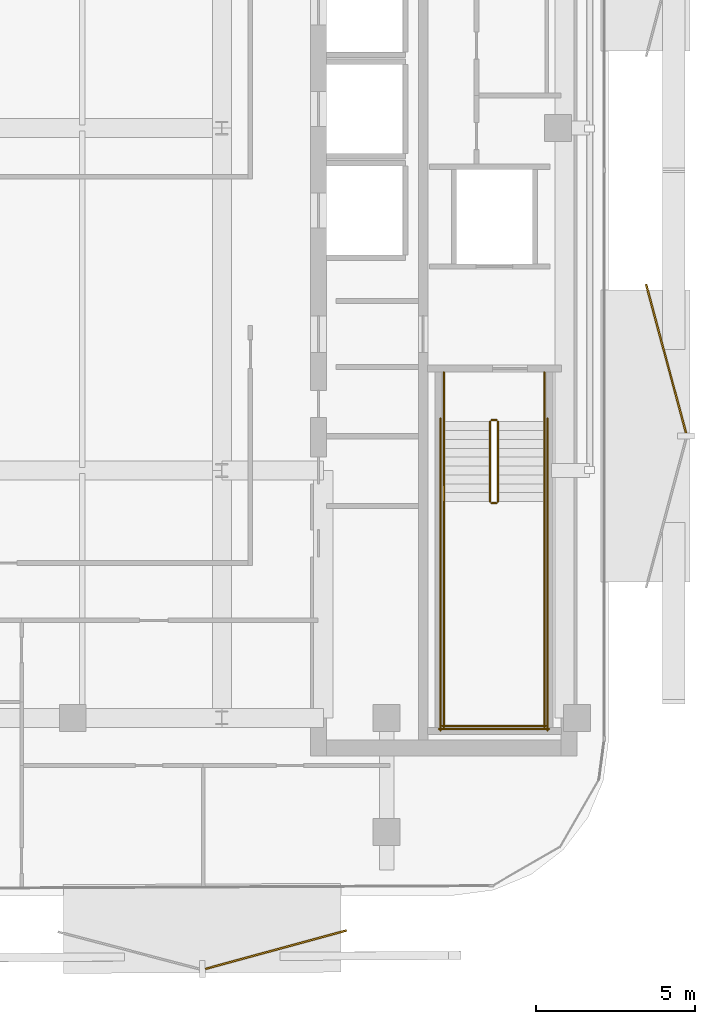
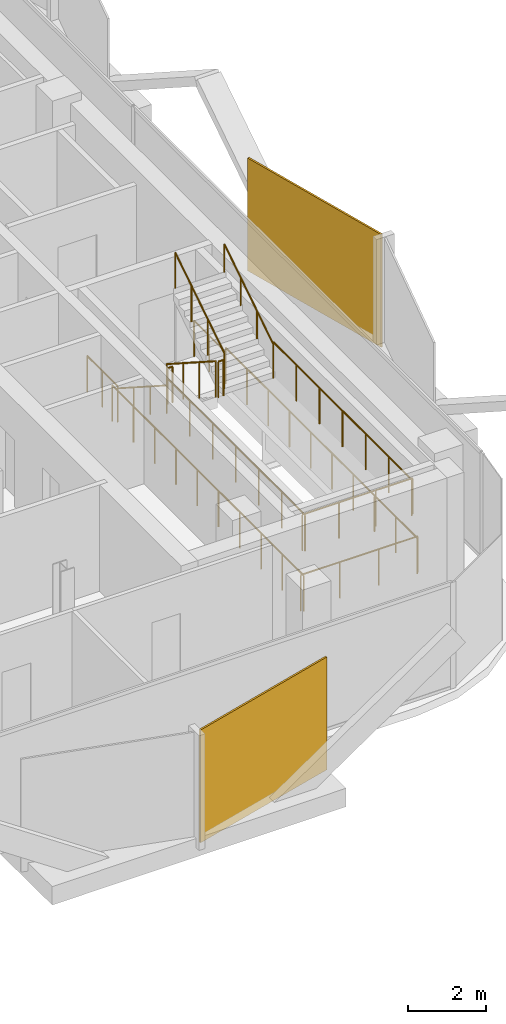
# One storey, part 14 of 15: 14 railings, 2 coverings.
"""IFC4 building model written with IfcOpenShell, lengths in metres."""

from ifc_helpers import new_model, si_unit, direction, frame, origin, origin_2d, place, context, subcontext, project, spatial, rectangle, circle, extrude, material, layer, layer_set, type_object, element, save


model = new_model("IFC4")

# Units and contexts
model_context = context("Model", 3, precision=1e-05, world=origin(), true_north=direction((0.0, 1.0)))
body_context = subcontext(model_context, "Body", "Model", "MODEL_VIEW")
ifc_project = project(units=[si_unit("LENGTHUNIT", "METRE"), si_unit("AREAUNIT", "SQUARE_METRE"), si_unit("VOLUMEUNIT", "CUBIC_METRE"), si_unit("PLANEANGLEUNIT", "RADIAN"), si_unit("MASSUNIT", "GRAM", prefix="KILO")], contexts=[model_context])

# Site, building, storey
site_placement = place(None, origin())
site = spatial("IfcSite", under=ifc_project, at=site_placement, CompositionType="ELEMENT")
building_placement = place(site_placement, origin())
building = spatial("IfcBuilding", under=site, at=building_placement, Name="Khairoan Windgate Tower", CompositionType="ELEMENT")
storey_placement = place(building_placement, frame((0.0, 0.0, 262.0)))
storey = spatial("IfcBuildingStorey", under=building, at=storey_placement, Name="L62", CompositionType="ELEMENT", Elevation=262.0)

# Coverings
ifc_material_1 = material(Name="Anodised Bronze Aluminium 6063-T6", Category="aluminium")
ifc_layer = layer(ifc_material_1, 0.054931640625, Name="Anodised Bronze Aluminium 6063-T6")
ifc_layer_set = layer_set([ifc_layer], Name="Anodised Bronze Aluminium 6063-T6")
covering_type = type_object("IfcCoveringType", Name="Perforated Bronze-Ceramic Folded Solar Screen Cladding BSC-1", PredefinedType="CLADDING", material=ifc_layer_set)
covering_1_placement = place(storey_placement, frame((10.90380859375, -25.912109375, -0.10009765625), z_axis=(0.0, 0.0, 1.0), x_axis=(-0.964695449838, -0.263367972734, 0.0)))
element("IfcCovering", 1, at=covering_1_placement, inside=storey, type_object=covering_type, Name="L62 Folded Bronze Solar Screen Facet 425L", PredefinedType="CLADDING", context=body_context, shape_type="SweptSolid", body=[
    extrude(rectangle(XDim=4.614013671875, YDim=0.054931640625, at=origin_2d()), origin(), (0.0, 0.0, 1.0), 3.5400390625),
])
covering_2_placement = place(storey_placement, frame((23.211181640625, -7.27587890625, -0.10009765625), z_axis=(0.0, 0.0, 1.0), x_axis=(0.258819045103, -0.965925826289, 0.0)))
element("IfcCovering", 2, at=covering_2_placement, inside=storey, type_object=covering_type, Name="L62 Folded Bronze Solar Screen Facet 432L", PredefinedType="CLADDING", context=body_context, shape_type="SweptSolid", body=[
    extrude(rectangle(XDim=4.85888671875, YDim=0.054931640625, at=origin_2d()), origin(), (0.0, 0.0, 1.0), 3.5400390625),
])

# Railings
ifc_material_2 = material(Name="Anodised Bronze Aluminium 6063-T6", Category="aluminium")
railing_type_1 = type_object("IfcRailingType", Name="Stair Wall Handrail SHR-900", PredefinedType="HANDRAIL", material=ifc_material_2)
railing_1_placement = place(storey_placement, frame((16.199951171875, -9.260009765625, 0.179931640625)))
element("IfcRailing", 3, at=railing_1_placement, inside=storey, type_object=railing_type_1, Name="L62 ST1 stair handrail 1", PredefinedType="HANDRAIL", context=body_context, shape_type="SweptSolid", body=[
    extrude(circle(Radius=0.02392578125, at=origin_2d()), frame((0.0, 0.0, 0.8759765625), z_axis=(0.0, -0.841162588446, 0.540782303519), x_axis=(1.0, 0.0, 0.0)), (0.0, 0.0, 1.0), 2.995849609375),
    extrude(circle(Radius=0.02099609375, at=origin_2d()), origin(), (0.0, 0.0, 1.0), 0.851806640625),
    extrude(circle(Radius=0.02099609375, at=origin_2d()), frame((0.0, -0.840087890625, 0.5400390625)), (0.0, 0.0, 1.0), 0.851806640625),
    extrude(circle(Radius=0.02099609375, at=origin_2d()), frame((0.0, -1.679931640625, 1.080078125)), (0.0, 0.0, 1.0), 0.851806640625),
    extrude(circle(Radius=0.02099609375, at=origin_2d()), frame((0.0, -2.52001953125, 1.6201171875)), (0.0, 0.0, 1.0), 0.851806640625),
])
railing_2_placement = place(storey_placement, frame((19.3701171875, -11.780029296875, 1.97998046875)))
element("IfcRailing", 4, at=railing_2_placement, inside=storey, type_object=railing_type_1, Name="L62 ST1 stair handrail 2", PredefinedType="HANDRAIL", context=body_context, shape_type="SweptSolid", body=[
    extrude(circle(Radius=0.02392578125, at=origin_2d()), frame((0.0, 0.0, 0.8759765625), z_axis=(0.0, 0.841162588446, 0.540782303519), x_axis=(-1.0, 0.0, 0.0)), (0.0, 0.0, 1.0), 2.995849609375),
    extrude(circle(Radius=0.02099609375, at=origin_2d()), origin(), (0.0, 0.0, 1.0), 0.851806640625),
    extrude(circle(Radius=0.02099609375, at=origin_2d()), frame((0.0, 0.840087890625, 0.5400390625)), (0.0, 0.0, 1.0), 0.851806640625),
    extrude(circle(Radius=0.02099609375, at=origin_2d()), frame((0.0, 1.679931640625, 1.080078125)), (0.0, 0.0, 1.0), 0.851806640625),
    extrude(circle(Radius=0.02099609375, at=origin_2d()), frame((0.0, 2.52001953125, 1.6201171875)), (0.0, 0.0, 1.0), 0.851806640625),
])
ifc_material_3 = material(Name="Steel S355", Category="steel")
railing_type_2 = type_object("IfcRailingType", Name="Stairwell Safety Guardrail SGR-1150", PredefinedType="GUARDRAIL", material=ifc_material_3)
railing_3_placement = place(storey_placement, frame((17.659912109375, -9.260009765625, 0.179931640625)))
element("IfcRailing", 5, at=railing_3_placement, inside=storey, type_object=railing_type_2, Name="L62 ST1 stair guard 1", PredefinedType="GUARDRAIL", context=body_context, shape_type="SweptSolid", body=[
    extrude(circle(Radius=0.02392578125, at=origin_2d()), frame((0.0, 0.0, 1.1259765625), z_axis=(0.0, -0.841162588446, 0.540782303519), x_axis=(1.0, 0.0, 0.0)), (0.0, 0.0, 1.0), 2.995849609375),
    extrude(circle(Radius=0.02099609375, at=origin_2d()), origin(), (0.0, 0.0, 1.0), 1.101806640625),
    extrude(circle(Radius=0.02099609375, at=origin_2d()), frame((0.0, -0.840087890625, 0.5400390625)), (0.0, 0.0, 1.0), 1.101806640625),
    extrude(circle(Radius=0.02099609375, at=origin_2d()), frame((0.0, -1.679931640625, 1.080078125)), (0.0, 0.0, 1.0), 1.101806640625),
    extrude(circle(Radius=0.02099609375, at=origin_2d()), frame((0.0, -2.52001953125, 1.6201171875)), (0.0, 0.0, 1.0), 1.101806640625),
])
railing_4_placement = place(storey_placement, frame((17.7099609375, -11.830078125, 1.800048828125)))
element("IfcRailing", 6, at=railing_4_placement, inside=storey, type_object=railing_type_2, Name="L62 ST1 stair guard 2", PredefinedType="GUARDRAIL", context=body_context, shape_type="SweptSolid", body=[
    extrude(circle(Radius=0.02392578125, at=origin_2d()), frame((0.0, 0.0, 1.1259765625), z_axis=(1.0, 0.0, 0.0), x_axis=(0.0, 1.0, 0.0)), (0.0, 0.0, 1.0), 0.150146484375),
    extrude(circle(Radius=0.02099609375, at=origin_2d()), origin(), (0.0, 0.0, 1.0), 1.101806640625),
    extrude(circle(Radius=0.02099609375, at=origin_2d()), frame((0.150146484375, 0.0, 0.0)), (0.0, 0.0, 1.0), 1.101806640625),
])
for number, where, name in (
    (7, (16.199951171875, -11.780029296875, 1.800048828125), "L62 ST1 stair guard 3"),
    (8, (19.3701171875, -11.780029296875, 1.800048828125), "L62 ST1 stair guard 4"),
):
    element("IfcRailing", number, at=place(storey_placement, frame(where)), inside=storey, type_object=railing_type_2, Name=name, PredefinedType="GUARDRAIL", context=body_context, shape_type="SweptSolid", body=[
        extrude(circle(Radius=0.02392578125, at=origin_2d()), frame((0.0, 0.0, 1.1259765625), z_axis=(0.0, -1.0, 0.0), x_axis=(1.0, 0.0, 0.0)), (0.0, 0.0, 1.0), 7.119873046875),
        extrude(circle(Radius=0.02099609375, at=origin_2d()), origin(), (0.0, 0.0, 1.0), 1.101806640625),
        extrude(circle(Radius=0.02099609375, at=origin_2d()), frame((0.0, -1.1865234375, 0.0)), (0.0, 0.0, 1.0), 1.101806640625),
        extrude(circle(Radius=0.02099609375, at=origin_2d()), frame((0.0, -2.373291015625, 0.0)), (0.0, 0.0, 1.0), 1.101806640625),
        extrude(circle(Radius=0.02099609375, at=origin_2d()), frame((0.0, -3.56005859375, 0.0)), (0.0, 0.0, 1.0), 1.101806640625),
        extrude(circle(Radius=0.02099609375, at=origin_2d()), frame((0.0, -4.74658203125, 0.0)), (0.0, 0.0, 1.0), 1.101806640625),
        extrude(circle(Radius=0.02099609375, at=origin_2d()), frame((0.0, -5.93310546875, 0.0)), (0.0, 0.0, 1.0), 1.101806640625),
        extrude(circle(Radius=0.02099609375, at=origin_2d()), frame((0.0, -7.119873046875, 0.0)), (0.0, 0.0, 1.0), 1.101806640625),
    ])
railing_5_placement = place(storey_placement, frame((16.14990234375, -18.85009765625, 1.800048828125)))
element("IfcRailing", 9, at=railing_5_placement, inside=storey, type_object=railing_type_2, Name="L62 ST1 stair guard 5", PredefinedType="GUARDRAIL", context=body_context, shape_type="SweptSolid", body=[
    extrude(circle(Radius=0.02392578125, at=origin_2d()), frame((0.0, 0.0, 1.1259765625), z_axis=(1.0, 0.0, 0.0), x_axis=(0.0, 1.0, 0.0)), (0.0, 0.0, 1.0), 3.27001953125),
    extrude(circle(Radius=0.02099609375, at=origin_2d()), origin(), (0.0, 0.0, 1.0), 1.101806640625),
    extrude(circle(Radius=0.02099609375, at=origin_2d()), frame((1.090087890625, 0.0, 0.0)), (0.0, 0.0, 1.0), 1.101806640625),
    extrude(circle(Radius=0.02099609375, at=origin_2d()), frame((2.179931640625, 0.0, 0.0)), (0.0, 0.0, 1.0), 1.101806640625),
    extrude(circle(Radius=0.02099609375, at=origin_2d()), frame((3.27001953125, 0.0, 0.0)), (0.0, 0.0, 1.0), 1.101806640625),
])
railing_6_placement = place(storey_placement, frame((17.909912109375, -11.780029296875, 1.97998046875)))
element("IfcRailing", 10, at=railing_6_placement, inside=storey, type_object=railing_type_2, Name="L62 ST1 stair guard 6", PredefinedType="GUARDRAIL", context=body_context, shape_type="SweptSolid", body=[
    extrude(circle(Radius=0.02392578125, at=origin_2d()), frame((0.0, 0.0, 1.1259765625), z_axis=(0.0, 0.841162588446, 0.540782303519), x_axis=(-1.0, 0.0, 0.0)), (0.0, 0.0, 1.0), 2.995849609375),
    extrude(circle(Radius=0.02099609375, at=origin_2d()), origin(), (0.0, 0.0, 1.0), 1.101806640625),
    extrude(circle(Radius=0.02099609375, at=origin_2d()), frame((0.0, 0.840087890625, 0.5400390625)), (0.0, 0.0, 1.0), 1.101806640625),
    extrude(circle(Radius=0.02099609375, at=origin_2d()), frame((0.0, 1.679931640625, 1.080078125)), (0.0, 0.0, 1.0), 1.101806640625),
    extrude(circle(Radius=0.02099609375, at=origin_2d()), frame((0.0, 2.52001953125, 1.6201171875)), (0.0, 0.0, 1.0), 1.101806640625),
])
railing_7_placement = place(storey_placement, frame((17.7099609375, -9.2099609375, 0.0)))
element("IfcRailing", 11, at=railing_7_placement, inside=storey, type_object=railing_type_2, Name="L62 ST1 stair guard 7", PredefinedType="GUARDRAIL", context=body_context, shape_type="SweptSolid", body=[
    extrude(circle(Radius=0.02392578125, at=origin_2d()), frame((0.0, 0.0, 1.1259765625), z_axis=(1.0, 0.0, 0.0), x_axis=(0.0, 1.0, 0.0)), (0.0, 0.0, 1.0), 0.150146484375),
    extrude(circle(Radius=0.02099609375, at=origin_2d()), origin(), (0.0, 0.0, 1.0), 1.101806640625),
    extrude(circle(Radius=0.02099609375, at=origin_2d()), frame((0.150146484375, 0.0, 0.0)), (0.0, 0.0, 1.0), 1.101806640625),
])
for number, where, name in (
    (12, (16.199951171875, -7.699951171875, 0.0), "L62 ST1 stair guard 8"),
    (13, (19.3701171875, -7.699951171875, 0.0), "L62 ST1 stair guard 9"),
):
    element("IfcRailing", number, at=place(storey_placement, frame(where)), inside=storey, type_object=railing_type_2, Name=name, PredefinedType="GUARDRAIL", context=body_context, shape_type="SweptSolid", body=[
        extrude(circle(Radius=0.02392578125, at=origin_2d()), frame((0.0, 0.0, 1.1259765625), z_axis=(0.0, -1.0, 0.0), x_axis=(1.0, 0.0, 0.0)), (0.0, 0.0, 1.0), 1.56005859375),
        extrude(circle(Radius=0.02099609375, at=origin_2d()), origin(), (0.0, 0.0, 1.0), 1.101806640625),
        extrude(circle(Radius=0.02099609375, at=origin_2d()), frame((0.0, -0.780029296875, 0.0)), (0.0, 0.0, 1.0), 1.101806640625),
        extrude(circle(Radius=0.02099609375, at=origin_2d()), frame((0.0, -1.56005859375, 0.0)), (0.0, 0.0, 1.0), 1.101806640625),
    ])
for number, where, name in (
    (14, (16.10009765625, -9.159912109375, 0.0), "L62 ST1 stair guard 10"),
    (15, (19.469970703125, -9.159912109375, 0.0), "L62 ST1 stair guard 11"),
):
    element("IfcRailing", number, at=place(storey_placement, frame(where)), inside=storey, type_object=railing_type_2, Name=name, PredefinedType="GUARDRAIL", context=body_context, shape_type="SweptSolid", body=[
        extrude(circle(Radius=0.02392578125, at=origin_2d()), frame((0.0, 0.0, 1.1259765625), z_axis=(0.0, -1.0, 0.0), x_axis=(1.0, 0.0, 0.0)), (0.0, 0.0, 1.0), 9.840087890625),
        extrude(circle(Radius=0.02099609375, at=origin_2d()), origin(), (0.0, 0.0, 1.0), 1.101806640625),
        extrude(circle(Radius=0.02099609375, at=origin_2d()), frame((0.0, -1.09326171875, 0.0)), (0.0, 0.0, 1.0), 1.101806640625),
        extrude(circle(Radius=0.02099609375, at=origin_2d()), frame((0.0, -2.186767578125, 0.0)), (0.0, 0.0, 1.0), 1.101806640625),
        extrude(circle(Radius=0.02099609375, at=origin_2d()), frame((0.0, -3.280029296875, 0.0)), (0.0, 0.0, 1.0), 1.101806640625),
        extrude(circle(Radius=0.02099609375, at=origin_2d()), frame((0.0, -4.373291015625, 0.0)), (0.0, 0.0, 1.0), 1.101806640625),
        extrude(circle(Radius=0.02099609375, at=origin_2d()), frame((0.0, -5.466796875, 0.0)), (0.0, 0.0, 1.0), 1.101806640625),
        extrude(circle(Radius=0.02099609375, at=origin_2d()), frame((0.0, -6.56005859375, 0.0)), (0.0, 0.0, 1.0), 1.101806640625),
        extrude(circle(Radius=0.02099609375, at=origin_2d()), frame((0.0, -7.6533203125, 0.0)), (0.0, 0.0, 1.0), 1.101806640625),
        extrude(circle(Radius=0.02099609375, at=origin_2d()), frame((0.0, -8.746826171875, 0.0)), (0.0, 0.0, 1.0), 1.101806640625),
        extrude(circle(Radius=0.02099609375, at=origin_2d()), frame((0.0, -9.840087890625, 0.0)), (0.0, 0.0, 1.0), 1.101806640625),
    ])
railing_8_placement = place(storey_placement, frame((16.050048828125, -18.949951171875, 0.0)))
element("IfcRailing", 16, at=railing_8_placement, inside=storey, type_object=railing_type_2, Name="L62 ST1 stair guard 12", PredefinedType="GUARDRAIL", context=body_context, shape_type="SweptSolid", body=[
    extrude(circle(Radius=0.02392578125, at=origin_2d()), frame((0.0, 0.0, 1.1259765625), z_axis=(1.0, 0.0, 0.0), x_axis=(0.0, 1.0, 0.0)), (0.0, 0.0, 1.0), 3.469970703125),
    extrude(circle(Radius=0.02099609375, at=origin_2d()), origin(), (0.0, 0.0, 1.0), 1.101806640625),
    extrude(circle(Radius=0.02099609375, at=origin_2d()), frame((1.15673828125, 0.0, 0.0)), (0.0, 0.0, 1.0), 1.101806640625),
    extrude(circle(Radius=0.02099609375, at=origin_2d()), frame((2.313232421875, 0.0, 0.0)), (0.0, 0.0, 1.0), 1.101806640625),
    extrude(circle(Radius=0.02099609375, at=origin_2d()), frame((3.469970703125, 0.0, 0.0)), (0.0, 0.0, 1.0), 1.101806640625),
])

save(model, "model.ifc")
